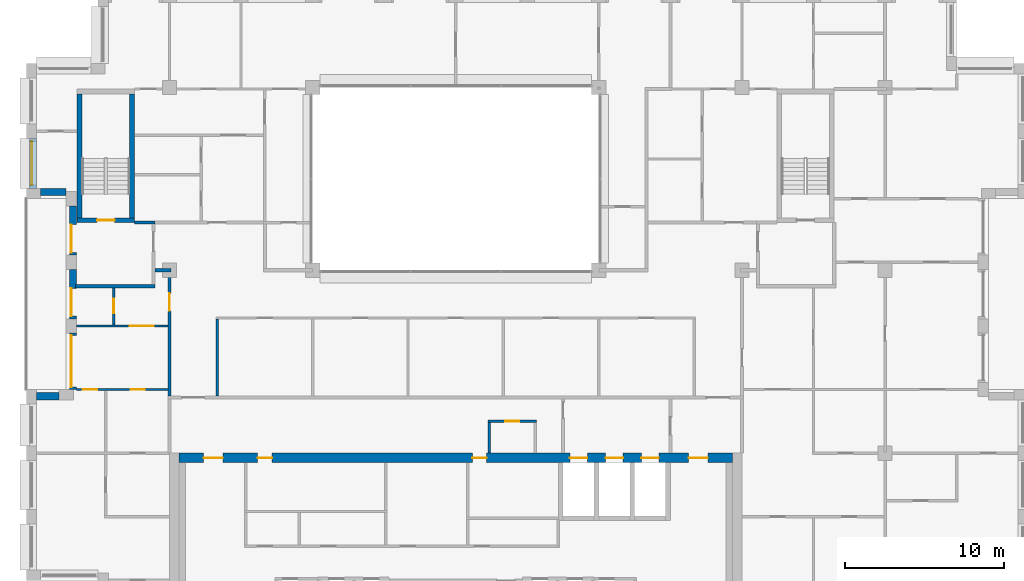
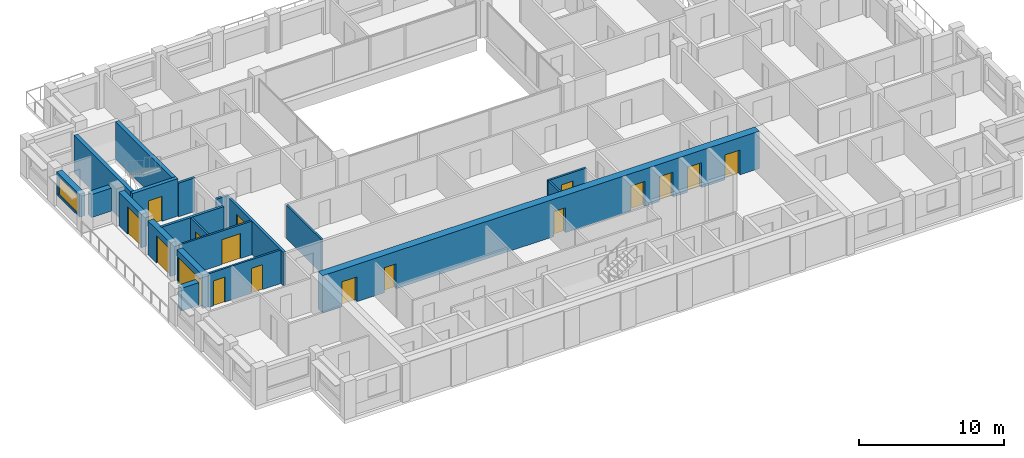
# One storey, part 9 of 16: 20 walls, 17 doors, 1 window, 18 openings.
"""IFC4 building model written with IfcOpenShell, lengths in metres."""

from ifc_helpers import new_model, si_unit, direction, frame, frame_2d, origin, place, context, subcontext, project, spatial, rectangle, extrude, material, layer, layer_set, type_object, element, fill, save


model = new_model("IFC4")

# Units and contexts
model_context = context("Model", 3, precision=1e-05, world=origin(), true_north=direction((0.0, 1.0)))
body_context = subcontext(model_context, "Body", "Model", "MODEL_VIEW")
ifc_project = project(units=[si_unit("LENGTHUNIT", "METRE"), si_unit("AREAUNIT", "SQUARE_METRE"), si_unit("VOLUMEUNIT", "CUBIC_METRE"), si_unit("PLANEANGLEUNIT", "RADIAN"), si_unit("MASSUNIT", "GRAM", prefix="KILO")], contexts=[model_context])

# Site, building, storey
site_placement = place(None, origin())
site = spatial("IfcSite", under=ifc_project, at=site_placement, CompositionType="ELEMENT")
building_placement = place(site_placement, origin())
building = spatial("IfcBuilding", under=site, at=building_placement, Name="Brigalow Station Residences", CompositionType="ELEMENT")
storey_placement = place(building_placement, frame((0.0, 0.0, 198.0)))
storey = spatial("IfcBuildingStorey", under=building, at=storey_placement, Name="L56", CompositionType="ELEMENT", Elevation=198.0)

# Wall, opening, window
ifc_material_1 = material(Name="Clay brick masonry", Category="masonry")
ifc_layer_1 = layer(ifc_material_1, 0.449951171875)
ifc_layer_set_1 = layer_set([ifc_layer_1], Name="BRICK INFILL WALL 450")
wall_type_1 = type_object("IfcWallType", Name="BRICK INFILL WALL 450", PredefinedType="SOLIDWALL", material=ifc_layer_set_1)
wall_1_placement = place(storey_placement, frame((9.425048828125, 32.300048828125, 0.89990234375), z_axis=(0.0, 0.0, 1.0), x_axis=(0.0, -1.0, 0.0)))
wall_1 = element("IfcWall", 1, at=wall_1_placement, inside=storey, type_object=wall_type_1, Name="L56/ewall/W-L56-35", PredefinedType="SOLIDWALL", context=body_context, shape_type="SweptSolid", body=[
    extrude(rectangle(XDim=3.150146484375, YDim=0.449951171875, at=frame_2d((1.5751953125, 0.0))), origin(), (0.0, 0.0, 1.0), 1.93017578125),
])
opening_1_placement = place(wall_1_placement, frame((0.199951171875, 0.0, 0.14990234375)))
opening_1 = element("IfcOpeningElement", 2, at=opening_1_placement, cuts=wall_1, Name="Opening WT-3", PredefinedType="OPENING", context=body_context, shape_type="SweptSolid", body=[
    extrude(rectangle(XDim=2.75, YDim=1.5, at=frame_2d((1.375, 0.75))), frame((0.0, 0.23486328125, 0.0), z_axis=(0.0, -1.0, 0.0), x_axis=(1.0, 0.0, 0.0)), (0.0, 0.0, 1.0), 0.469970703125),
])
ifc_material_2 = material(Name="Anodised aluminium frame with double glazing", Category="aluminium")
window_type = type_object("IfcWindowType", Name="WINDOW 2750x1500", PartitioningType="SINGLE_PANEL", PredefinedType="WINDOW", material=ifc_material_2)
window_placement = place(opening_1_placement, origin())
window = element("IfcWindow", 3, at=window_placement, inside=storey, type_object=window_type, Name="L56/window/W-L56-35", OverallHeight=1.5, OverallWidth=2.75, PartitioningType="SINGLE_PANEL", PredefinedType="WINDOW", context=body_context, shape_type="SweptSolid", body=[
    extrude(rectangle(XDim=2.75, YDim=1.5, at=frame_2d((1.375, 0.75))), frame((0.0, -0.06494140625, 0.0), z_axis=(0.0, -1.0, 0.0), x_axis=(1.0, 0.0, 0.0)), (0.0, 0.0, 1.0), 0.06005859375),
])
fill(opening_1, window)

# Wall
wall_2_placement = place(storey_placement, frame((9.89990234375, 28.925048828125, 0.89990234375), z_axis=(0.0, 0.0, 1.0), x_axis=(1.0, 0.0, 0.0)))
element("IfcWall", 4, at=wall_2_placement, inside=storey, type_object=wall_type_1, Name="L56/ewall/W-L56-36", PredefinedType="SOLIDWALL", context=body_context, shape_type="SweptSolid", body=[
    extrude(rectangle(XDim=1.60009765625, YDim=0.449951171875, at=frame_2d((0.800048828125, 0.0))), origin(), (0.0, 0.0, 1.0), 1.93017578125),
])

# Wall, opening, door
wall_3_placement = place(storey_placement, frame((11.925048828125, 28.050048828125, 0.0), z_axis=(0.0, 0.0, 1.0), x_axis=(0.0, -1.0, 0.0)))
wall_3 = element("IfcWall", 5, at=wall_3_placement, inside=storey, type_object=wall_type_1, Name="L56/ewall/W-L56-37", PredefinedType="SOLIDWALL", context=body_context, shape_type="SweptSolid", body=[
    extrude(rectangle(XDim=3.10009765625, YDim=0.449951171875, at=frame_2d((1.550048828125, 0.0))), origin(), (0.0, 0.0, 1.0), 2.830078125),
])
opening_2_placement = place(wall_3_placement, frame((1.18505859375, 0.0, 0.0)))
opening_2 = element("IfcOpeningElement", 6, at=opening_2_placement, cuts=wall_3, Name="Opening D-B1750", PredefinedType="OPENING", context=body_context, shape_type="SweptSolid", body=[
    extrude(rectangle(XDim=1.75, YDim=2.300048828125, at=frame_2d((0.875, 1.14990234375))), frame((0.0, 0.23486328125, 0.0), z_axis=(0.0, -1.0, 0.0), x_axis=(1.0, 0.0, 0.0)), (0.0, 0.0, 1.0), 0.469970703125),
])
ifc_material_3 = material(Name="Anodised aluminium frame with double glazing", Category="aluminium")
door_type_1 = type_object("IfcDoorType", Name="BALCONY SLIDING DOOR 1750x2300", OperationType="SLIDING_TO_LEFT", PredefinedType="DOOR", material=ifc_material_3)
door_1_placement = place(opening_2_placement, frame((1.75, -0.18994140625, 0.0), z_axis=(0.0, 0.0, 1.0), x_axis=(-1.0, 0.0, 0.0)))
door_1 = element("IfcDoor", 7, at=door_1_placement, inside=storey, type_object=door_type_1, Name="L56/balcony-door/W-L56-37", OperationType="SLIDING_TO_LEFT", OverallHeight=2.300048828125, OverallWidth=1.75, PredefinedType="DOOR", context=body_context, shape_type="SweptSolid", body=[
    extrude(rectangle(XDim=1.75, YDim=2.300048828125, at=frame_2d((0.875, 1.14990234375))), frame((0.0, -0.06982421875, 0.0), z_axis=(0.0, -1.0, 0.0), x_axis=(1.0, 0.0, 0.0)), (0.0, 0.0, 1.0), 0.050048828125),
])
fill(opening_2, door_1)

wall_4_placement = place(storey_placement, frame((11.925048828125, 24.050048828125, 0.0), z_axis=(0.0, 0.0, 1.0), x_axis=(0.0, -1.0, 0.0)))
wall_4 = element("IfcWall", 8, at=wall_4_placement, inside=storey, type_object=wall_type_1, Name="L56/ewall/W-L56-38", PredefinedType="SOLIDWALL", context=body_context, shape_type="SweptSolid", body=[
    extrude(rectangle(XDim=3.10009765625, YDim=0.449951171875, at=frame_2d((1.550048828125, 0.0))), origin(), (0.0, 0.0, 1.0), 2.830078125),
])
opening_3_placement = place(wall_4_placement, frame((1.18505859375, 0.0, 0.0)))
opening_3 = element("IfcOpeningElement", 9, at=opening_3_placement, cuts=wall_4, Name="Opening D-B1750", PredefinedType="OPENING", context=body_context, shape_type="SweptSolid", body=[
    extrude(rectangle(XDim=1.75, YDim=2.300048828125, at=frame_2d((0.875, 1.14990234375))), frame((0.0, 0.23486328125, 0.0), z_axis=(0.0, -1.0, 0.0), x_axis=(1.0, 0.0, 0.0)), (0.0, 0.0, 1.0), 0.469970703125),
])
door_2_placement = place(opening_3_placement, origin())
door_2 = element("IfcDoor", 10, at=door_2_placement, inside=storey, type_object=door_type_1, Name="L56/balcony-door/W-L56-38", OperationType="SLIDING_TO_LEFT", OverallHeight=2.300048828125, OverallWidth=1.75, PredefinedType="DOOR", context=body_context, shape_type="SweptSolid", body=[
    extrude(rectangle(XDim=1.75, YDim=2.300048828125, at=frame_2d((0.875, 1.14990234375))), frame((0.0, -0.06982421875, 0.0), z_axis=(0.0, -1.0, 0.0), x_axis=(1.0, 0.0, 0.0)), (0.0, 0.0, 1.0), 0.050048828125),
])
fill(opening_3, door_2)

wall_5_placement = place(storey_placement, frame((11.925048828125, 20.050048828125, 0.0), z_axis=(0.0, 0.0, 1.0), x_axis=(0.0, -1.0, 0.0)))
wall_5 = element("IfcWall", 11, at=wall_5_placement, inside=storey, type_object=wall_type_1, Name="L56/ewall/W-L56-39", PredefinedType="SOLIDWALL", context=body_context, shape_type="SweptSolid", body=[
    extrude(rectangle(XDim=3.550048828125, YDim=0.449951171875, at=frame_2d((1.77490234375, 0.0))), origin(), (0.0, 0.0, 1.0), 2.830078125),
])
opening_4_placement = place(wall_5_placement, frame((0.14990234375, 0.0, 0.0)))
opening_4 = element("IfcOpeningElement", 12, at=opening_4_placement, cuts=wall_5, Name="Opening D-B3250", PredefinedType="OPENING", context=body_context, shape_type="SweptSolid", body=[
    extrude(rectangle(XDim=3.25, YDim=2.300048828125, at=frame_2d((1.625, 1.14990234375))), frame((0.0, 0.23486328125, 0.0), z_axis=(0.0, -1.0, 0.0), x_axis=(1.0, 0.0, 0.0)), (0.0, 0.0, 1.0), 0.469970703125),
])
ifc_material_4 = material(Name="Anodised aluminium frame with double glazing", Category="aluminium")
door_type_2 = type_object("IfcDoorType", Name="BALCONY SLIDING DOOR 3250x2300", OperationType="SLIDING_TO_LEFT", PredefinedType="DOOR", material=ifc_material_4)
door_3_placement = place(opening_4_placement, origin())
door_3 = element("IfcDoor", 13, at=door_3_placement, inside=storey, type_object=door_type_2, Name="L56/balcony-door/W-L56-39", OperationType="SLIDING_TO_LEFT", OverallHeight=2.300048828125, OverallWidth=3.25, PredefinedType="DOOR", context=body_context, shape_type="SweptSolid", body=[
    extrude(rectangle(XDim=3.25, YDim=2.300048828125, at=frame_2d((1.625, 1.14990234375))), frame((0.0, -0.06982421875, 0.0), z_axis=(0.0, -1.0, 0.0), x_axis=(1.0, 0.0, 0.0)), (0.0, 0.0, 1.0), 0.050048828125),
])
fill(opening_4, door_3)

# Wall
wall_6_placement = place(storey_placement, frame((11.050048828125, 16.074951171875, 0.89990234375), z_axis=(0.0, 0.0, 1.0), x_axis=(-1.0, 0.0, 0.0)))
element("IfcWall", 14, at=wall_6_placement, inside=storey, type_object=wall_type_1, Name="L56/ewall/W-L56-40", PredefinedType="SOLIDWALL", context=body_context, shape_type="SweptSolid", body=[
    extrude(rectangle(XDim=1.400146484375, YDim=0.449951171875, at=frame_2d((0.7001953125, 0.0))), origin(), (0.0, 0.0, 1.0), 1.93017578125),
])

# Wall, opening, door
ifc_material_5 = material(Name="Concrete C50", Category="concrete")
ifc_layer_2 = layer(ifc_material_5, 0.300048828125)
ifc_layer_set_2 = layer_set([ifc_layer_2], Name="CORE SHEAR WALL 300 C50")
wall_type_2 = type_object("IfcWallType", Name="CORE SHEAR WALL 300 C50", PredefinedType="SHEAR", material=ifc_layer_set_2)
wall_7_placement = place(storey_placement, frame((12.199951171875, 27.14990234375, 0.0), z_axis=(0.0, 0.0, 1.0), x_axis=(1.0, 0.0, 0.0)))
wall_7 = element("IfcWall", 15, at=wall_7_placement, inside=storey, type_object=wall_type_2, Name="CORE WALL ST-S1-S L56", PredefinedType="SHEAR", context=body_context, shape_type="SweptSolid", body=[
    extrude(rectangle(XDim=3.60009765625, YDim=0.300048828125, at=frame_2d((1.800048828125, 0.0))), origin(), (0.0, 0.0, 1.0), 3.14990234375),
])
opening_5_placement = place(wall_7_placement, frame((1.25, 0.0, 0.0)))
opening_5 = element("IfcOpeningElement", 16, at=opening_5_placement, cuts=wall_7, Name="Opening D-5015", PredefinedType="OPENING", context=body_context, shape_type="SweptSolid", body=[
    extrude(rectangle(XDim=1.10009765625, YDim=2.10009765625, at=frame_2d((0.550048828125, 1.050048828125))), frame((0.0, 0.16015625, 0.0), z_axis=(0.0, -1.0, 0.0), x_axis=(1.0, 0.0, 0.0)), (0.0, 0.0, 1.0), 0.320068359375),
])
ifc_material_6 = material(Name="Steel fire door leaf in steel frame", Category="steel")
door_type_3 = type_object("IfcDoorType", Name="STAIR DOOR 1100 x 2100 FD60S", OperationType="SINGLE_SWING_LEFT", PredefinedType="DOOR", material=ifc_material_6)
door_4_placement = place(opening_5_placement, origin())
door_4 = element("IfcDoor", 17, at=door_4_placement, inside=storey, type_object=door_type_3, Name="D-5015", OperationType="SINGLE_SWING_LEFT", OverallHeight=2.10009765625, OverallWidth=1.10009765625, PredefinedType="DOOR", context=body_context, shape_type="SweptSolid", body=[
    extrude(rectangle(XDim=1.10009765625, YDim=2.10009765625, at=frame_2d((0.550048828125, 1.050048828125))), frame((0.0, 0.02490234375, 0.0), z_axis=(0.0, -1.0, 0.0), x_axis=(1.0, 0.0, 0.0)), (0.0, 0.0, 1.0), 0.050048828125),
])
fill(opening_5, door_4)

# Walls
for number, where, z_axis, x_axis, name in (
    (18, (12.35009765625, 27.300048828125, 0.0), (0.0, 0.0, 1.0), (0.0, 1.0, 0.0), "CORE WALL ST-S1-W L56"),
    (19, (15.64990234375, 27.300048828125, 0.0), (0.0, 0.0, 1.0), (0.0, 1.0, 0.0), "CORE WALL ST-S1-E L56"),
):
    element("IfcWall", number, at=place(storey_placement, frame(where, z_axis=z_axis, x_axis=x_axis)), inside=storey, type_object=wall_type_2, Name=name, PredefinedType="SHEAR", context=body_context, shape_type="SweptSolid", body=[
        extrude(rectangle(XDim=7.800048828125, YDim=0.300048828125, at=frame_2d((3.89990234375, 0.0))), origin(), (0.0, 0.0, 1.0), 3.14990234375),
    ])

# Wall, openings, doors
ifc_material_7 = material(Name="Concrete C50", Category="concrete")
ifc_layer_3 = layer(ifc_material_7, 0.60009765625)
ifc_layer_set_3 = layer_set([ifc_layer_3], Name="CORE SHEAR WALL 600 C50")
wall_type_3 = type_object("IfcWallType", Name="CORE SHEAR WALL 600 C50", PredefinedType="SHEAR", material=ifc_layer_set_3)
wall_8_placement = place(storey_placement, frame((18.60009765625, 12.199951171875, 0.0), z_axis=(0.0, 0.0, 1.0), x_axis=(1.0, 0.0, 0.0)))
wall_8 = element("IfcWall", 20, at=wall_8_placement, inside=storey, type_object=wall_type_3, Name="CORE WALL OUT-N L56", PredefinedType="SHEAR", context=body_context, shape_type="SweptSolid", body=[
    extrude(rectangle(XDim=34.7998046875, YDim=0.60009765625, at=frame_2d((17.39990234375, 0.0))), origin(), (0.0, 0.0, 1.0), 3.14990234375),
])
opening_6_placement = place(wall_8_placement, frame((24.574951171875, 0.0, 0.0)))
opening_6 = element("IfcOpeningElement", 21, at=opening_6_placement, cuts=wall_8, Name="Opening LD-LF1", PredefinedType="OPENING", context=body_context, shape_type="SweptSolid", body=[
    extrude(rectangle(XDim=1.10009765625, YDim=2.10009765625, at=frame_2d((0.550048828125, 1.050048828125))), frame((0.0, 0.31005859375, 0.0), z_axis=(0.0, -1.0, 0.0), x_axis=(1.0, 0.0, 0.0)), (0.0, 0.0, 1.0), 0.6201171875),
])
opening_7_placement = place(wall_8_placement, frame((26.824951171875, 0.0, 0.0)))
opening_7 = element("IfcOpeningElement", 22, at=opening_7_placement, cuts=wall_8, Name="Opening LD-LF2", PredefinedType="OPENING", context=body_context, shape_type="SweptSolid", body=[
    extrude(rectangle(XDim=1.10009765625, YDim=2.10009765625, at=frame_2d((0.550048828125, 1.050048828125))), frame((0.0, 0.31005859375, 0.0), z_axis=(0.0, -1.0, 0.0), x_axis=(1.0, 0.0, 0.0)), (0.0, 0.0, 1.0), 0.6201171875),
])
opening_8_placement = place(wall_8_placement, frame((29.074951171875, 0.0, 0.0)))
opening_8 = element("IfcOpeningElement", 23, at=opening_8_placement, cuts=wall_8, Name="Opening LD-LG1", PredefinedType="OPENING", context=body_context, shape_type="SweptSolid", body=[
    extrude(rectangle(XDim=1.10009765625, YDim=2.10009765625, at=frame_2d((0.550048828125, 1.050048828125))), frame((0.0, 0.31005859375, 0.0), z_axis=(0.0, -1.0, 0.0), x_axis=(1.0, 0.0, 0.0)), (0.0, 0.0, 1.0), 0.6201171875),
])
opening_9_placement = place(wall_8_placement, frame((4.949951171875, 0.0, 0.0)))
opening_9 = element("IfcOpeningElement", 24, at=opening_9_placement, cuts=wall_8, Name="Opening D-5118", PredefinedType="OPENING", context=body_context, shape_type="SweptSolid", body=[
    extrude(rectangle(XDim=0.89990234375, YDim=2.10009765625, at=frame_2d((0.449951171875, 1.050048828125))), frame((0.0, 0.31005859375, 0.0), z_axis=(0.0, -1.0, 0.0), x_axis=(1.0, 0.0, 0.0)), (0.0, 0.0, 1.0), 0.6201171875),
])
opening_10_placement = place(wall_8_placement, frame((18.449951171875, 0.0, 0.0)))
opening_10 = element("IfcOpeningElement", 25, at=opening_10_placement, cuts=wall_8, Name="Opening D-5119", PredefinedType="OPENING", context=body_context, shape_type="SweptSolid", body=[
    extrude(rectangle(XDim=0.89990234375, YDim=2.10009765625, at=frame_2d((0.449951171875, 1.050048828125))), frame((0.0, 0.31005859375, 0.0), z_axis=(0.0, -1.0, 0.0), x_axis=(1.0, 0.0, 0.0)), (0.0, 0.0, 1.0), 0.6201171875),
])
opening_11_placement = place(wall_8_placement, frame((1.550048828125, 0.0, 0.0)))
opening_11 = element("IfcOpeningElement", 26, at=opening_11_placement, cuts=wall_8, Name="Opening D-5011", PredefinedType="OPENING", context=body_context, shape_type="SweptSolid", body=[
    extrude(rectangle(XDim=1.199951171875, YDim=2.10009765625, at=frame_2d((0.60009765625, 1.050048828125))), frame((0.0, 0.31005859375, 0.0), z_axis=(0.0, -1.0, 0.0), x_axis=(1.0, 0.0, 0.0)), (0.0, 0.0, 1.0), 0.6201171875),
])
opening_12_placement = place(wall_8_placement, frame((32.050048828125, 0.0, 0.0)))
opening_12 = element("IfcOpeningElement", 27, at=opening_12_placement, cuts=wall_8, Name="Opening D-5012", PredefinedType="OPENING", context=body_context, shape_type="SweptSolid", body=[
    extrude(rectangle(XDim=1.199951171875, YDim=2.10009765625, at=frame_2d((0.60009765625, 1.050048828125))), frame((0.0, 0.31005859375, 0.0), z_axis=(0.0, -1.0, 0.0), x_axis=(1.0, 0.0, 0.0)), (0.0, 0.0, 1.0), 0.6201171875),
])
ifc_material_8 = material(Name="Steel fire door leaf in steel frame", Category="steel")
door_type_4 = type_object("IfcDoorType", Name="CORE CORRIDOR DOOR 1200 x 2100 FD60S", OperationType="SINGLE_SWING_LEFT", PredefinedType="DOOR", material=ifc_material_8)
door_5_placement = place(opening_11_placement, frame((1.199951171875, 0.0, 0.0), z_axis=(0.0, 0.0, 1.0), x_axis=(-1.0, 0.0, 0.0)))
door_5 = element("IfcDoor", 28, at=door_5_placement, inside=storey, type_object=door_type_4, Name="D-5011", OperationType="SINGLE_SWING_LEFT", OverallHeight=2.10009765625, OverallWidth=1.199951171875, PredefinedType="DOOR", context=body_context, shape_type="SweptSolid", body=[
    extrude(rectangle(XDim=1.199951171875, YDim=2.10009765625, at=frame_2d((0.60009765625, 1.050048828125))), frame((0.0, 0.02490234375, 0.0), z_axis=(0.0, -1.0, 0.0), x_axis=(1.0, 0.0, 0.0)), (0.0, 0.0, 1.0), 0.050048828125),
])
fill(opening_11, door_5)
door_6_placement = place(opening_12_placement, frame((1.199951171875, 0.0, 0.0), z_axis=(0.0, 0.0, 1.0), x_axis=(-1.0, 0.0, 0.0)))
door_6 = element("IfcDoor", 29, at=door_6_placement, inside=storey, type_object=door_type_4, Name="D-5012", OperationType="SINGLE_SWING_LEFT", OverallHeight=2.10009765625, OverallWidth=1.199951171875, PredefinedType="DOOR", context=body_context, shape_type="SweptSolid", body=[
    extrude(rectangle(XDim=1.199951171875, YDim=2.10009765625, at=frame_2d((0.60009765625, 1.050048828125))), frame((0.0, 0.02490234375, 0.0), z_axis=(0.0, -1.0, 0.0), x_axis=(1.0, 0.0, 0.0)), (0.0, 0.0, 1.0), 0.050048828125),
])
fill(opening_12, door_6)
ifc_material_9 = material(Name="Stainless steel sliding door leaves", Category="steel")
door_type_5 = type_object("IfcDoorType", Name="LIFT LANDING DOOR 1100 x 2100", OperationType="DOUBLE_DOOR_SLIDING", PredefinedType="DOOR", material=ifc_material_9)
door_7_placement = place(opening_6_placement, origin())
door_7 = element("IfcDoor", 30, at=door_7_placement, inside=storey, type_object=door_type_5, Name="LANDING DOOR LF1", OperationType="DOUBLE_DOOR_SLIDING", OverallHeight=2.10009765625, OverallWidth=1.10009765625, PredefinedType="DOOR", context=body_context, shape_type="SweptSolid", body=[
    extrude(rectangle(XDim=1.10009765625, YDim=2.10009765625, at=frame_2d((0.550048828125, 1.050048828125))), frame((0.0, 0.02490234375, 0.0), z_axis=(0.0, -1.0, 0.0), x_axis=(1.0, 0.0, 0.0)), (0.0, 0.0, 1.0), 0.050048828125),
])
fill(opening_6, door_7)
door_8_placement = place(opening_7_placement, origin())
door_8 = element("IfcDoor", 31, at=door_8_placement, inside=storey, type_object=door_type_5, Name="LANDING DOOR LF2", OperationType="DOUBLE_DOOR_SLIDING", OverallHeight=2.10009765625, OverallWidth=1.10009765625, PredefinedType="DOOR", context=body_context, shape_type="SweptSolid", body=[
    extrude(rectangle(XDim=1.10009765625, YDim=2.10009765625, at=frame_2d((0.550048828125, 1.050048828125))), frame((0.0, 0.02490234375, 0.0), z_axis=(0.0, -1.0, 0.0), x_axis=(1.0, 0.0, 0.0)), (0.0, 0.0, 1.0), 0.050048828125),
])
fill(opening_7, door_8)
door_9_placement = place(opening_8_placement, origin())
door_9 = element("IfcDoor", 32, at=door_9_placement, inside=storey, type_object=door_type_5, Name="LANDING DOOR LG1", OperationType="DOUBLE_DOOR_SLIDING", OverallHeight=2.10009765625, OverallWidth=1.10009765625, PredefinedType="DOOR", context=body_context, shape_type="SweptSolid", body=[
    extrude(rectangle(XDim=1.10009765625, YDim=2.10009765625, at=frame_2d((0.550048828125, 1.050048828125))), frame((0.0, 0.02490234375, 0.0), z_axis=(0.0, -1.0, 0.0), x_axis=(1.0, 0.0, 0.0)), (0.0, 0.0, 1.0), 0.050048828125),
])
fill(opening_8, door_9)
ifc_material_10 = material(Name="Steel door leaf in steel frame", Category="steel")
door_type_6 = type_object("IfcDoorType", Name="SERVICE ROOM DOOR 900 x 2100 FD60", OperationType="SINGLE_SWING_LEFT", PredefinedType="DOOR", material=ifc_material_10)
door_10_placement = place(opening_9_placement, frame((0.89990234375, 0.0, 0.0), z_axis=(0.0, 0.0, 1.0), x_axis=(-1.0, 0.0, 0.0)))
door_10 = element("IfcDoor", 33, at=door_10_placement, inside=storey, type_object=door_type_6, Name="D-5118", OperationType="SINGLE_SWING_RIGHT", OverallHeight=2.10009765625, OverallWidth=0.89990234375, PredefinedType="DOOR", context=body_context, shape_type="SweptSolid", body=[
    extrude(rectangle(XDim=0.89990234375, YDim=2.10009765625, at=frame_2d((0.449951171875, 1.050048828125))), frame((0.0, 0.02490234375, 0.0), z_axis=(0.0, -1.0, 0.0), x_axis=(1.0, 0.0, 0.0)), (0.0, 0.0, 1.0), 0.050048828125),
])
fill(opening_9, door_10)
door_11_placement = place(opening_10_placement, frame((0.89990234375, 0.0, 0.0), z_axis=(0.0, 0.0, 1.0), x_axis=(-1.0, 0.0, 0.0)))
door_11 = element("IfcDoor", 34, at=door_11_placement, inside=storey, type_object=door_type_6, Name="D-5119", OperationType="SINGLE_SWING_RIGHT", OverallHeight=2.10009765625, OverallWidth=0.89990234375, PredefinedType="DOOR", context=body_context, shape_type="SweptSolid", body=[
    extrude(rectangle(XDim=0.89990234375, YDim=2.10009765625, at=frame_2d((0.449951171875, 1.050048828125))), frame((0.0, 0.02490234375, 0.0), z_axis=(0.0, -1.0, 0.0), x_axis=(1.0, 0.0, 0.0)), (0.0, 0.0, 1.0), 0.050048828125),
])
fill(opening_10, door_11)

# Walls
ifc_material_11 = material(Name="Concrete blockwork", Category="masonry")
ifc_layer_4 = layer(ifc_material_11, 0.199951171875)
ifc_layer_set_4 = layer_set([ifc_layer_4], Name="FIRE RATED CORE PARTITION 200")
wall_type_4 = type_object("IfcWallType", Name="FIRE RATED CORE PARTITION 200", PredefinedType="PARTITIONING", material=ifc_layer_set_4)
wall_9_placement = place(storey_placement, frame((12.10009765625, 23.0, 0.0), z_axis=(0.0, 0.0, 1.0), x_axis=(1.0, 0.0, 0.0)))
element("IfcWall", 35, at=wall_9_placement, inside=storey, type_object=wall_type_4, Name="PW-5023", PredefinedType="PARTITIONING", context=body_context, shape_type="SweptSolid", body=[
    extrude(rectangle(XDim=5.0, YDim=0.199951171875, at=frame_2d((2.5, 0.0))), origin(), (0.0, 0.0, 1.0), 2.830078125),
])
wall_10_placement = place(storey_placement, frame((15.800048828125, 27.0, 0.0), z_axis=(0.0, 0.0, 1.0), x_axis=(1.0, 0.0, 0.0)))
element("IfcWall", 36, at=wall_10_placement, inside=storey, type_object=wall_type_4, Name="PW-5025", PredefinedType="PARTITIONING", context=body_context, shape_type="SweptSolid", body=[
    extrude(rectangle(XDim=1.300048828125, YDim=0.199951171875, at=frame_2d((0.64990234375, 0.0))), origin(), (0.0, 0.0, 1.0), 2.830078125),
])

# Wall, opening, door
ifc_material_12 = material(Name="Plasterboard on steel stud partition", Category="steel")
ifc_layer_5 = layer(ifc_material_12, 0.14990234375)
ifc_layer_set_5 = layer_set([ifc_layer_5], Name="FLAT PARTITION 150")
wall_type_5 = type_object("IfcWallType", Name="FLAT PARTITION 150", PredefinedType="PARTITIONING", material=ifc_layer_set_5)
wall_11_placement = place(storey_placement, frame((12.14990234375, 20.5, 0.0), z_axis=(0.0, 0.0, 1.0), x_axis=(1.0, 0.0, 0.0)))
wall_11 = element("IfcWall", 37, at=wall_11_placement, inside=storey, type_object=wall_type_5, Name="PW-4A09", PredefinedType="PARTITIONING", context=body_context, shape_type="SweptSolid", body=[
    extrude(rectangle(XDim=5.75, YDim=0.14990234375, at=frame_2d((2.875, 0.0))), origin(), (0.0, 0.0, 1.0), 2.830078125),
])
opening_13_placement = place(wall_11_placement, frame((3.35009765625, 0.0, 0.0)))
opening_13 = element("IfcOpeningElement", 38, at=opening_13_placement, cuts=wall_11, Name="Opening D-4A05", PredefinedType="OPENING", context=body_context, shape_type="SweptSolid", body=[
    extrude(rectangle(XDim=1.5, YDim=2.10009765625, at=frame_2d((0.75, 1.050048828125))), frame((0.0, 0.0849609375, 0.0), z_axis=(0.0, -1.0, 0.0), x_axis=(1.0, 0.0, 0.0)), (0.0, 0.0, 1.0), 0.169921875),
])
ifc_material_13 = material(Name="Solid-core timber door leaf", Category="wood")
door_type_7 = type_object("IfcDoorType", Name="INTERNAL DOUBLE DOOR 1500 x 2100", OperationType="DOUBLE_DOOR_SINGLE_SWING", PredefinedType="DOOR", material=ifc_material_13)
door_12_placement = place(opening_13_placement, origin())
door_12 = element("IfcDoor", 39, at=door_12_placement, inside=storey, type_object=door_type_7, Name="D-4A05", OperationType="DOUBLE_DOOR_SINGLE_SWING", OverallHeight=2.10009765625, OverallWidth=1.5, PredefinedType="DOOR", context=body_context, shape_type="SweptSolid", body=[
    extrude(rectangle(XDim=1.5, YDim=2.10009765625, at=frame_2d((0.75, 1.050048828125))), frame((0.0, 0.02490234375, 0.0), z_axis=(0.0, -1.0, 0.0), x_axis=(1.0, 0.0, 0.0)), (0.0, 0.0, 1.0), 0.050048828125),
])
fill(opening_13, door_12)

# Wall, openings, doors
wall_12_placement = place(storey_placement, frame((12.14990234375, 16.5, 0.0), z_axis=(0.0, 0.0, 1.0), x_axis=(1.0, 0.0, 0.0)))
wall_12 = element("IfcWall", 40, at=wall_12_placement, inside=storey, type_object=wall_type_5, Name="PW-4A10", PredefinedType="PARTITIONING", context=body_context, shape_type="SweptSolid", body=[
    extrude(rectangle(XDim=5.75, YDim=0.14990234375, at=frame_2d((2.875, 0.0))), origin(), (0.0, 0.0, 1.0), 2.830078125),
])
opening_14_placement = place(wall_12_placement, frame((3.39990234375, 0.0, 0.0)))
opening_14 = element("IfcOpeningElement", 41, at=opening_14_placement, cuts=wall_12, Name="Opening D-4A06", PredefinedType="OPENING", context=body_context, shape_type="SweptSolid", body=[
    extrude(rectangle(XDim=0.89990234375, YDim=2.10009765625, at=frame_2d((0.449951171875, 1.050048828125))), frame((0.0, 0.0849609375, 0.0), z_axis=(0.0, -1.0, 0.0), x_axis=(1.0, 0.0, 0.0)), (0.0, 0.0, 1.0), 0.169921875),
])
opening_15_placement = place(wall_12_placement, frame((0.39990234375, 0.0, 0.0)))
opening_15 = element("IfcOpeningElement", 42, at=opening_15_placement, cuts=wall_12, Name="Opening D-4A07", PredefinedType="OPENING", context=body_context, shape_type="SweptSolid", body=[
    extrude(rectangle(XDim=0.89990234375, YDim=2.10009765625, at=frame_2d((0.449951171875, 1.050048828125))), frame((0.0, 0.0849609375, 0.0), z_axis=(0.0, -1.0, 0.0), x_axis=(1.0, 0.0, 0.0)), (0.0, 0.0, 1.0), 0.169921875),
])
ifc_material_14 = material(Name="Solid-core timber door leaf", Category="wood")
door_type_8 = type_object("IfcDoorType", Name="INTERNAL DOOR 900 x 2100", OperationType="SINGLE_SWING_LEFT", PredefinedType="DOOR", material=ifc_material_14)
door_13_placement = place(opening_14_placement, frame((0.89990234375, 0.0, 0.0), z_axis=(0.0, 0.0, 1.0), x_axis=(-1.0, 0.0, 0.0)))
door_13 = element("IfcDoor", 43, at=door_13_placement, inside=storey, type_object=door_type_8, Name="D-4A06", OperationType="SINGLE_SWING_LEFT", OverallHeight=2.10009765625, OverallWidth=0.89990234375, PredefinedType="DOOR", context=body_context, shape_type="SweptSolid", body=[
    extrude(rectangle(XDim=0.89990234375, YDim=2.10009765625, at=frame_2d((0.449951171875, 1.050048828125))), frame((0.0, 0.02490234375, 0.0), z_axis=(0.0, -1.0, 0.0), x_axis=(1.0, 0.0, 0.0)), (0.0, 0.0, 1.0), 0.050048828125),
])
fill(opening_14, door_13)
door_14_placement = place(opening_15_placement, frame((0.89990234375, 0.0, 0.0), z_axis=(0.0, 0.0, 1.0), x_axis=(-1.0, 0.0, 0.0)))
door_14 = element("IfcDoor", 44, at=door_14_placement, inside=storey, type_object=door_type_8, Name="D-4A07", OperationType="SINGLE_SWING_RIGHT", OverallHeight=2.10009765625, OverallWidth=0.89990234375, PredefinedType="DOOR", context=body_context, shape_type="SweptSolid", body=[
    extrude(rectangle(XDim=0.89990234375, YDim=2.10009765625, at=frame_2d((0.449951171875, 1.050048828125))), frame((0.0, 0.02490234375, 0.0), z_axis=(0.0, -1.0, 0.0), x_axis=(1.0, 0.0, 0.0)), (0.0, 0.0, 1.0), 0.050048828125),
])
fill(opening_15, door_14)

# Wall
wall_13_placement = place(storey_placement, frame((21.0, 16.10009765625, 0.0), z_axis=(0.0, 0.0, 1.0), x_axis=(0.0, 1.0, 0.0)))
element("IfcWall", 45, at=wall_13_placement, inside=storey, type_object=wall_type_5, Name="PW-4A37", PredefinedType="PARTITIONING", context=body_context, shape_type="SweptSolid", body=[
    extrude(rectangle(XDim=4.824951171875, YDim=0.14990234375, at=frame_2d((2.41259765625, 0.0))), origin(), (0.0, 0.0, 1.0), 2.830078125),
])

# Wall, opening, door
wall_14_placement = place(storey_placement, frame((14.5, 20.574951171875, 0.0), z_axis=(0.0, 0.0, 1.0), x_axis=(0.0, 1.0, 0.0)))
wall_14 = element("IfcWall", 46, at=wall_14_placement, inside=storey, type_object=wall_type_5, Name="PW-4A42", PredefinedType="PARTITIONING", context=body_context, shape_type="SweptSolid", body=[
    extrude(rectangle(XDim=2.324951171875, YDim=0.14990234375, at=frame_2d((1.16259765625, 0.0))), origin(), (0.0, 0.0, 1.0), 2.830078125),
])
opening_16_placement = place(wall_14_placement, frame((0.72509765625, 0.0, 0.0)))
opening_16 = element("IfcOpeningElement", 47, at=opening_16_placement, cuts=wall_14, Name="Opening D-4A04", PredefinedType="OPENING", context=body_context, shape_type="SweptSolid", body=[
    extrude(rectangle(XDim=0.89990234375, YDim=2.10009765625, at=frame_2d((0.449951171875, 1.050048828125))), frame((0.0, 0.0849609375, 0.0), z_axis=(0.0, -1.0, 0.0), x_axis=(1.0, 0.0, 0.0)), (0.0, 0.0, 1.0), 0.169921875),
])
door_15_placement = place(opening_16_placement, origin())
door_15 = element("IfcDoor", 48, at=door_15_placement, inside=storey, type_object=door_type_8, Name="D-4A04", OperationType="SINGLE_SWING_RIGHT", OverallHeight=2.10009765625, OverallWidth=0.89990234375, PredefinedType="DOOR", context=body_context, shape_type="SweptSolid", body=[
    extrude(rectangle(XDim=0.89990234375, YDim=2.10009765625, at=frame_2d((0.449951171875, 1.050048828125))), frame((0.0, 0.02490234375, 0.0), z_axis=(0.0, -1.0, 0.0), x_axis=(1.0, 0.0, 0.0)), (0.0, 0.0, 1.0), 0.050048828125),
])
fill(opening_16, door_15)

# Wall
ifc_material_15 = material(Name="Plasterboard on steel stud partition", Category="steel")
ifc_layer_6 = layer(ifc_material_15, 0.199951171875)
ifc_layer_set_6 = layer_set([ifc_layer_6], Name="PARTY AND CORRIDOR WALL 200")
wall_type_6 = type_object("IfcWallType", Name="PARTY AND CORRIDOR WALL 200", PredefinedType="PARTITIONING", material=ifc_layer_set_6)
wall_15_placement = place(storey_placement, frame((17.10009765625, 24.0, 0.0), z_axis=(0.0, 0.0, 1.0), x_axis=(1.0, 0.0, 0.0)))
element("IfcWall", 49, at=wall_15_placement, inside=storey, type_object=wall_type_6, Name="PW-4A01", PredefinedType="PARTITIONING", context=body_context, shape_type="SweptSolid", body=[
    extrude(rectangle(XDim=1.0, YDim=0.199951171875, at=frame_2d((0.5, 0.0))), origin(), (0.0, 0.0, 1.0), 2.830078125),
])

# Wall, opening, door
wall_16_placement = place(storey_placement, frame((18.0, 16.10009765625, 0.0), z_axis=(0.0, 0.0, 1.0), x_axis=(0.0, 1.0, 0.0)))
wall_16 = element("IfcWall", 50, at=wall_16_placement, inside=storey, type_object=wall_type_6, Name="PW-4A34", PredefinedType="PARTITIONING", context=body_context, shape_type="SweptSolid", body=[
    extrude(rectangle(XDim=7.7998046875, YDim=0.199951171875, at=frame_2d((3.89990234375, 0.0))), origin(), (0.0, 0.0, 1.0), 2.830078125),
])
opening_17_placement = place(wall_16_placement, frame((5.35009765625, 0.0, 0.0)))
opening_17 = element("IfcOpeningElement", 51, at=opening_17_placement, cuts=wall_16, Name="Opening D-4A03", PredefinedType="OPENING", context=body_context, shape_type="SweptSolid", body=[
    extrude(rectangle(XDim=1.10009765625, YDim=2.10009765625, at=frame_2d((0.550048828125, 1.050048828125))), frame((0.0, 0.10986328125, 0.0), z_axis=(0.0, -1.0, 0.0), x_axis=(1.0, 0.0, 0.0)), (0.0, 0.0, 1.0), 0.219970703125),
])
ifc_material_16 = material(Name="Solid-core timber door leaf", Category="wood")
door_type_9 = type_object("IfcDoorType", Name="FLAT ENTRANCE DOOR 1100 x 2100 FRL -/60/30", OperationType="SINGLE_SWING_LEFT", PredefinedType="DOOR", material=ifc_material_16)
door_16_placement = place(opening_17_placement, origin())
door_16 = element("IfcDoor", 52, at=door_16_placement, inside=storey, type_object=door_type_9, Name="D-4A03", OperationType="SINGLE_SWING_LEFT", OverallHeight=2.10009765625, OverallWidth=1.10009765625, PredefinedType="DOOR", context=body_context, shape_type="SweptSolid", body=[
    extrude(rectangle(XDim=1.10009765625, YDim=2.10009765625, at=frame_2d((0.550048828125, 1.050048828125))), frame((0.0, 0.02490234375, 0.0), z_axis=(0.0, -1.0, 0.0), x_axis=(1.0, 0.0, 0.0)), (0.0, 0.0, 1.0), 0.050048828125),
])
fill(opening_17, door_16)

ifc_material_17 = material(Name="Plasterboard on steel studs", Category="steel")
ifc_layer_7 = layer(ifc_material_17, 0.14990234375)
ifc_layer_set_7 = layer_set([ifc_layer_7], Name="SERVICE ROOM PARTITION 150")
wall_type_7 = type_object("IfcWallType", Name="SERVICE ROOM PARTITION 150", PredefinedType="PARTITIONING", material=ifc_layer_set_7)
wall_17_placement = place(storey_placement, frame((38.02490234375, 14.5, 0.0), z_axis=(0.0, 0.0, 1.0), x_axis=(1.0, 0.0, 0.0)))
wall_17 = element("IfcWall", 53, at=wall_17_placement, inside=storey, type_object=wall_type_7, Name="PW-5138", PredefinedType="PARTITIONING", context=body_context, shape_type="SweptSolid", body=[
    extrude(rectangle(XDim=3.050048828125, YDim=0.14990234375, at=frame_2d((1.52490234375, 0.0))), origin(), (0.0, 0.0, 1.0), 2.830078125),
])
opening_18_placement = place(wall_17_placement, frame((1.074951171875, 0.0, 0.0)))
opening_18 = element("IfcOpeningElement", 54, at=opening_18_placement, cuts=wall_17, Name="Opening D-5079", PredefinedType="OPENING", context=body_context, shape_type="SweptSolid", body=[
    extrude(rectangle(XDim=0.89990234375, YDim=2.10009765625, at=frame_2d((0.449951171875, 1.050048828125))), frame((0.0, 0.0849609375, 0.0), z_axis=(0.0, -1.0, 0.0), x_axis=(1.0, 0.0, 0.0)), (0.0, 0.0, 1.0), 0.169921875),
])
door_17_placement = place(opening_18_placement, frame((0.89990234375, 0.0, 0.0), z_axis=(0.0, 0.0, 1.0), x_axis=(-1.0, 0.0, 0.0)))
door_17 = element("IfcDoor", 55, at=door_17_placement, inside=storey, type_object=door_type_6, Name="D-5079", OperationType="SINGLE_SWING_RIGHT", OverallHeight=2.10009765625, OverallWidth=0.89990234375, PredefinedType="DOOR", context=body_context, shape_type="SweptSolid", body=[
    extrude(rectangle(XDim=0.89990234375, YDim=2.10009765625, at=frame_2d((0.449951171875, 1.050048828125))), frame((0.0, 0.02490234375, 0.0), z_axis=(0.0, -1.0, 0.0), x_axis=(1.0, 0.0, 0.0)), (0.0, 0.0, 1.0), 0.050048828125),
])
fill(opening_18, door_17)

# Wall
wall_18_placement = place(storey_placement, frame((38.10009765625, 12.5, 0.0), z_axis=(0.0, 0.0, 1.0), x_axis=(0.0, 1.0, 0.0)))
element("IfcWall", 56, at=wall_18_placement, inside=storey, type_object=wall_type_7, Name="PW-5139", PredefinedType="PARTITIONING", context=body_context, shape_type="SweptSolid", body=[
    extrude(rectangle(XDim=1.925048828125, YDim=0.14990234375, at=frame_2d((0.96240234375, 0.0))), origin(), (0.0, 0.0, 1.0), 2.830078125),
])

save(model, "model.ifc")
